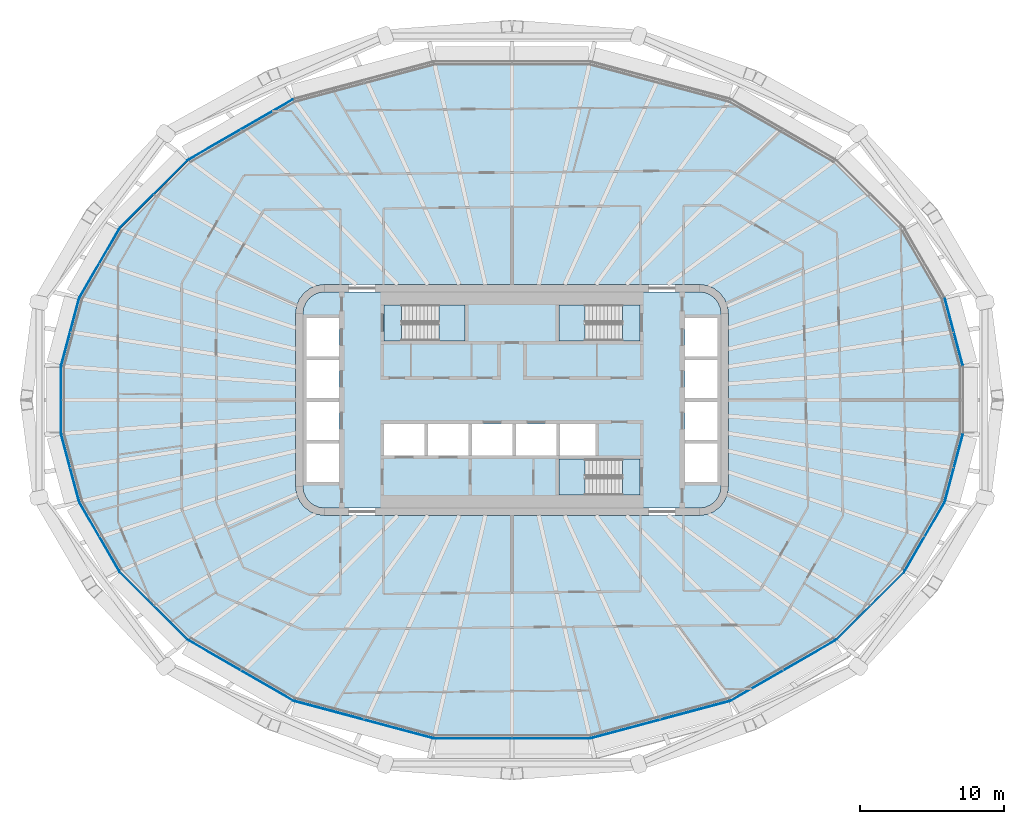
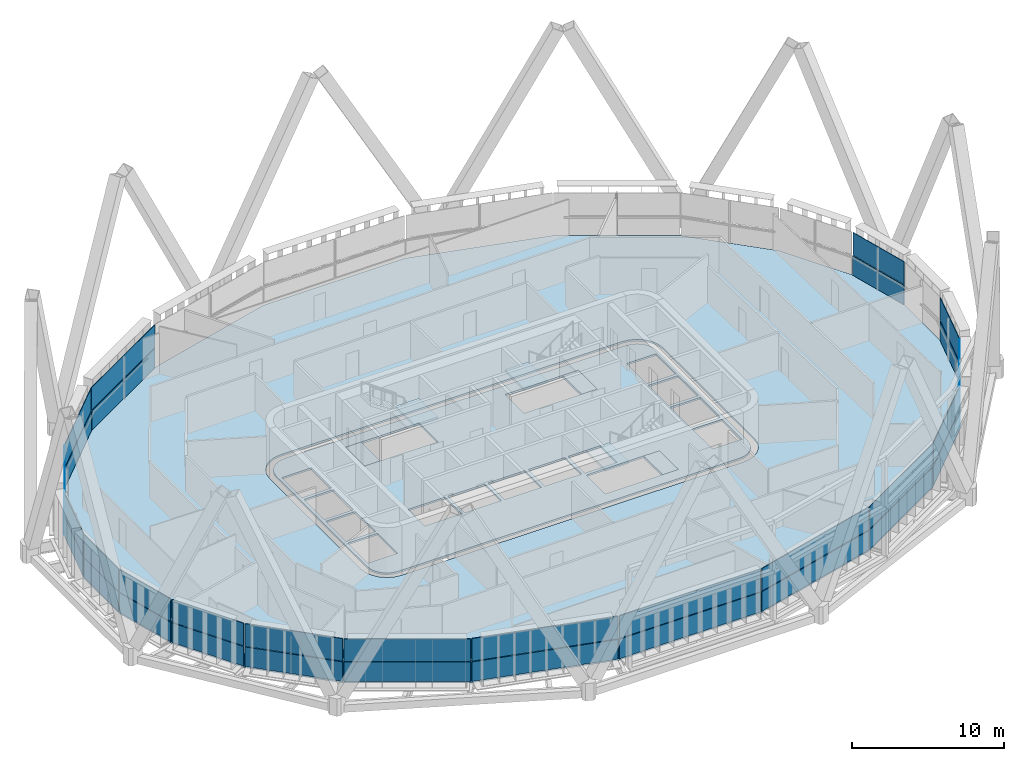
# One storey, part 12 of 25: 34 plates, 8 slabs, 20 elements without a shape of their own.
"""IFC4 building model written with IfcOpenShell, lengths in metres."""

from ifc_helpers import new_model, si_unit, direction, frame, origin, place, context, subcontext, project, spatial, polyline, outline, extrude, material, layer, layer_set, type_object, element, aggregate, save


model = new_model("IFC4")

# Units and contexts
model_context = context("Model", 3, precision=1e-05, world=origin(), true_north=direction((0.0, 1.0)))
body_context = subcontext(model_context, "Body", "Model", "MODEL_VIEW")
ifc_project = project(units=[si_unit("LENGTHUNIT", "METRE"), si_unit("AREAUNIT", "SQUARE_METRE"), si_unit("VOLUMEUNIT", "CUBIC_METRE"), si_unit("PLANEANGLEUNIT", "RADIAN"), si_unit("MASSUNIT", "GRAM", prefix="KILO")], contexts=[model_context])

# Site, building, storey
site_placement = place(None, origin())
site = spatial("IfcSite", under=ifc_project, at=site_placement, CompositionType="ELEMENT")
building_placement = place(site_placement, origin())
building = spatial("IfcBuilding", under=site, at=building_placement, Name="Sahrelin Media Tower", CompositionType="ELEMENT")
storey_placement = place(building_placement, frame((0.0, 0.0, 165.60009765625)))
storey = spatial("IfcBuildingStorey", under=building, at=storey_placement, Name="L34", CompositionType="ELEMENT", Elevation=165.60009765625)

# Slabs
ifc_material_1 = material(Name="Concrete C40/50", Category="concrete")
ifc_layer_1 = layer(ifc_material_1, 0.14990234375)
ifc_layer_set_1 = layer_set([ifc_layer_1], Name="Composite floor slab 150")
slab_type_1 = type_object("IfcSlabType", Name="Composite floor slab 150", PredefinedType="FLOOR", material=ifc_layer_set_1)
placement_1 = place(storey_placement, frame((0.0, 0.0, -0.150146484375)))
element("IfcSlab", 1, at=placement_1, inside=storey, type_object=slab_type_1, Name="Floor slab L34", PredefinedType="FLOOR", context=body_context, shape_type="SweptSolid", body=[
    extrude(outline(polyline([(31.26416015625, -2.335205078125), (31.26416015625, 2.335205078125), (30.0, 7.052978515625), (27.220947265625, 11.866455078125), (22.44580078125, 16.6416015625), (15.156494140625, 20.85009765625), (5.414306640625, 23.460693359375), (-5.414306640625, 23.460693359375), (-15.156494140625, 20.85009765625), (-22.44580078125, 16.6416015625), (-27.220947265625, 11.866455078125), (-30.0, 7.052978515625), (-31.26416015625, 2.335205078125), (-31.26416015625, -2.335205078125), (-30.0, -7.052978515625), (-27.220947265625, -11.866455078125), (-22.44580078125, -16.6416015625), (-15.156494140625, -20.85009765625), (-5.414306640625, -23.460693359375), (5.414306640625, -23.460693359375), (15.156494140625, -20.85009765625), (22.44580078125, -16.6416015625), (27.220947265625, -11.866455078125), (30.0, -7.052978515625), (31.26416015625, -2.335205078125)]), holes=[polyline([(14.931884765625, 6.517578125), (15.0, 6.0), (15.0, -6.0), (14.931884765625, -6.517578125), (14.732177734375, -7.0), (14.414306640625, -7.414306640625), (14.0, -7.732177734375), (13.517578125, -7.931884765625), (13.0, -8.0), (-13.0, -8.0), (-13.517578125, -7.931884765625), (-14.0, -7.732177734375), (-14.414306640625, -7.414306640625), (-14.732177734375, -7.0), (-14.931884765625, -6.517578125), (-15.0, -6.0), (-15.0, 6.0), (-14.931884765625, 6.517578125), (-14.732177734375, 7.0), (-14.414306640625, 7.414306640625), (-14.0, 7.732177734375), (-13.517578125, 7.931884765625), (-13.0, 8.0), (13.0, 8.0), (13.517578125, 7.931884765625), (14.0, 7.732177734375), (14.414306640625, 7.414306640625), (14.732177734375, 7.0), (14.931884765625, 6.517578125)])]), origin(), (0.0, 0.0, 1.0), 0.150146484375),
])
ifc_layer_2 = layer(ifc_material_1, 0.14990234375)
ifc_layer_set_2 = layer_set([ifc_layer_2], Name="Core floor slab 150")
slab_type_2 = type_object("IfcSlabType", Name="Core floor slab 150", PredefinedType="FLOOR", material=ifc_layer_set_2)
element("IfcSlab", 2, at=placement_1, inside=storey, type_object=slab_type_2, Name="Core floor", PredefinedType="FLOOR", context=body_context, shape_type="SweptSolid", body=[
    extrude(outline(polyline([(-14.44482421875, 6.38720703125), (-14.5, 5.96728515625), (-14.5, -5.96728515625), (-14.44482421875, -6.38720703125), (-14.29541015625, -6.747802734375), (-14.0576171875, -7.0576171875), (-13.747802734375, -7.29541015625), (-13.38720703125, -7.44482421875), (-12.96728515625, -7.5), (12.96728515625, -7.5), (13.38720703125, -7.44482421875), (13.747802734375, -7.29541015625), (14.0576171875, -7.0576171875), (14.29541015625, -6.747802734375), (14.44482421875, -6.38720703125), (14.5, -5.96728515625), (14.5, 5.96728515625), (14.44482421875, 6.38720703125), (14.29541015625, 6.747802734375), (14.0576171875, 7.0576171875), (13.747802734375, 7.29541015625), (13.38720703125, 7.44482421875), (12.96728515625, 7.5), (-12.96728515625, 7.5), (-13.38720703125, 7.44482421875), (-13.747802734375, 7.29541015625), (-14.0576171875, 7.0576171875), (-14.29541015625, 6.747802734375), (-14.44482421875, 6.38720703125)]), holes=[polyline([(-12.0, 3.02490234375), (-12.0, 5.675048828125), (-14.25, 5.675048828125), (-14.25, 3.02490234375), (-12.0, 3.02490234375)]), polyline([(-14.25, 0.125), (-12.0, 0.125), (-12.0, 2.77490234375), (-14.25, 2.77490234375), (-14.25, 0.125)]), polyline([(-14.25, -0.125), (-14.25, -2.77490234375), (-12.0, -2.77490234375), (-12.0, -0.125), (-14.25, -0.125)]), polyline([(-12.0, -3.02490234375), (-14.25, -3.02490234375), (-14.25, -5.675048828125), (-12.0, -5.675048828125), (-12.0, -3.02490234375)]), polyline([(14.25, 3.02490234375), (14.25, 5.675048828125), (12.0, 5.675048828125), (12.0, 3.02490234375), (14.25, 3.02490234375)]), polyline([(12.0, 0.125), (14.25, 0.125), (14.25, 2.77490234375), (12.0, 2.77490234375), (12.0, 0.125)]), polyline([(12.0, -0.125), (12.0, -2.77490234375), (14.25, -2.77490234375), (14.25, -0.125), (12.0, -0.125)]), polyline([(14.25, -3.02490234375), (12.0, -3.02490234375), (12.0, -5.675048828125), (14.25, -5.675048828125), (14.25, -3.02490234375)]), polyline([(-6.074951171875, -3.85009765625), (-6.074951171875, -1.64990234375), (-8.875, -1.64990234375), (-8.875, -3.85009765625), (-6.074951171875, -3.85009765625)]), polyline([(-5.824951171875, -3.85009765625), (-3.02490234375, -3.85009765625), (-3.02490234375, -1.64990234375), (-5.824951171875, -1.64990234375), (-5.824951171875, -3.85009765625)]), polyline([(-2.77490234375, -1.64990234375), (-2.77490234375, -3.85009765625), (0.02490234375, -3.85009765625), (0.02490234375, -1.64990234375), (-2.77490234375, -1.64990234375)]), polyline([(3.074951171875, -1.64990234375), (0.27490234375, -1.64990234375), (0.27490234375, -3.85009765625), (3.074951171875, -3.85009765625), (3.074951171875, -1.64990234375)]), polyline([(5.77490234375, -3.85009765625), (5.77490234375, -1.64990234375), (3.324951171875, -1.64990234375), (3.324951171875, -3.85009765625), (5.77490234375, -3.85009765625)]), polyline([(-8.875, 6.60009765625), (-8.875, 4.10009765625), (-3.27490234375, 4.10009765625), (-3.27490234375, 6.60009765625), (-8.875, 6.60009765625)]), polyline([(3.27490234375, 4.10009765625), (8.875, 4.10009765625), (8.875, 6.60009765625), (3.27490234375, 6.60009765625), (3.27490234375, 4.10009765625)]), polyline([(3.27490234375, -4.10009765625), (3.27490234375, -6.60009765625), (8.875, -6.60009765625), (8.875, -4.10009765625), (3.27490234375, -4.10009765625)])]), origin(), (0.0, 0.0, 1.0), 0.150146484375),
])

# Curtain wall, plate
ifc_material_2 = material(Name="Champagne anodised aluminium 6063-T6", Category="aluminium")
ifc_layer_3 = layer(ifc_material_2, 0.14990234375)
ifc_layer_set_3 = layer_set([ifc_layer_3], Name="Tower ribbon curtain wall")
curtain_wall_type = type_object("IfcCurtainWallType", Name="Tower ribbon curtain wall", PredefinedType="NOTDEFINED", material=ifc_layer_set_3)
curtain_wall_1_placement = place(storey_placement, frame((30.6513671875, 4.69921875, 0.0), z_axis=(0.0, 0.0, 1.0), x_axis=(1.0, 0.0, 0.0)))
curtain_wall_1 = element("IfcCurtainWall", 3, at=curtain_wall_1_placement, inside=storey, type_object=curtain_wall_type, Name="L34:CW:L34-01", PredefinedType="NOTDEFINED")
ifc_material_3 = material(Name="Clear low-iron glazing", Category="glass")
ifc_layer_4 = layer(ifc_material_3, 0.0439453125)
ifc_layer_set_4 = layer_set([ifc_layer_4], Name="Glazing panel 44 mm CW1B")
plate_type_1 = type_object("IfcPlateType", Name="Glazing panel 44 mm CW1B", PredefinedType="CURTAIN_PANEL", material=ifc_layer_set_4)
plate_1_placement = place(storey_placement, frame((31.29052734375, 2.39111328125, 1.6298828125), z_axis=(0.965933945732, 0.258788741028, 0.0), x_axis=(-0.258788741028, 0.965933945732, 0.0)))
plate_1 = element("IfcPlate", 4, at=plate_1_placement, type_object=plate_type_1, Name="L34:CWP2:L34-01", PredefinedType="CURTAIN_PANEL", context=body_context, shape_type="SweptSolid", body=[
    extrude(outline(polyline([(0.0, 0.0), (4.78955078125, 0.0), (4.78955078125, 1.818603515625), (0.0, 1.818603515625), (0.0, 0.0)])), origin(), (0.0, 0.0, -1.0), 0.0439453125),
])

curtain_wall_2_placement = place(storey_placement, frame((-18.81103515625, 18.76318359375, 0.0), z_axis=(0.0, 0.0, 1.0), x_axis=(1.0, 0.0, 0.0)))
curtain_wall_2 = element("IfcCurtainWall", 5, at=curtain_wall_2_placement, inside=storey, type_object=curtain_wall_type, Name="L34:CW:L34-08", PredefinedType="NOTDEFINED")
plate_2_placement = place(storey_placement, frame((-15.217529296875, 20.861083984375, 1.6298828125), z_axis=(-0.500000939553, 0.866024861332, 0.0), x_axis=(-0.866024861332, -0.500000939553, 0.0)))
plate_2 = element("IfcPlate", 6, at=plate_2_placement, type_object=plate_type_1, Name="L34:CWP2:L34-08", PredefinedType="CURTAIN_PANEL", context=body_context, shape_type="SweptSolid", body=[
    extrude(outline(polyline([(0.0, 0.0), (8.322265625, 0.0), (8.322265625, 1.818603515625), (0.0, 1.818603515625), (0.0, 0.0)])), origin(), (0.0, 0.0, -1.0), 0.0439453125),
])

curtain_wall_3_placement = place(storey_placement, frame((-24.84765625, 14.268310546875, 0.0), z_axis=(0.0, 0.0, 1.0), x_axis=(1.0, 0.0, 0.0)))
curtain_wall_3 = element("IfcCurtainWall", 7, at=curtain_wall_3_placement, inside=storey, type_object=curtain_wall_type, Name="L34:CW:L34-09", PredefinedType="NOTDEFINED")
plate_3_placement = place(storey_placement, frame((-22.507568359375, 16.636474609375, 1.6298828125), z_axis=(-0.707106781187, 0.707106781187, 0.0), x_axis=(-0.707106781187, -0.707106781187, 0.0)))
plate_3 = element("IfcPlate", 8, at=plate_3_placement, type_object=plate_type_1, Name="L34:CWP2:L34-09", PredefinedType="CURTAIN_PANEL", context=body_context, shape_type="SweptSolid", body=[
    extrude(outline(polyline([(0.0, 0.0), (6.658447265625, 0.0), (6.658447265625, 1.818603515625), (0.0, 1.818603515625), (0.0, 0.0)])), origin(), (0.0, 0.0, -1.0), 0.0439453125),
])

curtain_wall_4_placement = place(storey_placement, frame((-28.627685546875, 9.4697265625, 0.0), z_axis=(0.0, 0.0, 1.0), x_axis=(1.0, 0.0, 0.0)))
curtain_wall_4 = element("IfcCurtainWall", 9, at=curtain_wall_4_placement, inside=storey, type_object=curtain_wall_type, Name="L34:CW:L34-10", PredefinedType="NOTDEFINED")
plate_4_placement = place(storey_placement, frame((-27.279296875, 11.845458984375, 1.6298828125), z_axis=(-0.866026336773, 0.499998384012, 0.0), x_axis=(-0.499998384012, -0.866026336773, 0.0)))
plate_4 = element("IfcPlate", 10, at=plate_4_placement, type_object=plate_type_1, Name="L34:CWP2:L34-10", PredefinedType="CURTAIN_PANEL", context=body_context, shape_type="SweptSolid", body=[
    extrude(outline(polyline([(0.0, 0.0), (5.46337890625, 0.0), (5.46337890625, 1.818603515625), (0.0, 1.818603515625), (0.0, 0.0)])), origin(), (0.0, 0.0, -1.0), 0.0439453125),
])

curtain_wall_5_placement = place(storey_placement, frame((-30.651611328125, 4.69921875, 0.0), z_axis=(0.0, 0.0, 1.0), x_axis=(1.0, 0.0, 0.0)))
curtain_wall_5 = element("IfcCurtainWall", 11, at=curtain_wall_5_placement, inside=storey, type_object=curtain_wall_type, Name="L34:CW:L34-11", PredefinedType="NOTDEFINED")
plate_5_placement = place(storey_placement, frame((-30.051025390625, 7.017578125, 1.6298828125), z_axis=(-0.965933945732, 0.258788741028, 0.0), x_axis=(-0.258788741028, -0.965933945732, 0.0)))
plate_5 = element("IfcPlate", 12, at=plate_5_placement, type_object=plate_type_1, Name="L34:CWP2:L34-11", PredefinedType="CURTAIN_PANEL", context=body_context, shape_type="SweptSolid", body=[
    extrude(outline(polyline([(0.0, 0.0), (4.78955078125, 0.0), (4.78955078125, 1.818603515625), (0.0, 1.818603515625), (0.0, 0.0)])), origin(), (0.0, 0.0, -1.0), 0.0439453125),
])

curtain_wall_6_placement = place(storey_placement, frame((-31.2841796875, 0.0, 0.0), z_axis=(0.0, 0.0, 1.0), x_axis=(1.0, 0.0, 0.0)))
curtain_wall_6 = element("IfcCurtainWall", 13, at=curtain_wall_6_placement, inside=storey, type_object=curtain_wall_type, Name="L34:CW:L34-12", PredefinedType="NOTDEFINED")
plate_6_placement = place(storey_placement, frame((-31.30419921875, 2.28759765625, 1.6298828125), z_axis=(-1.0, 0.0, 0.0), x_axis=(0.0, -1.0, 0.0)))
plate_6 = element("IfcPlate", 14, at=plate_6_placement, type_object=plate_type_1, Name="L34:CWP2:L34-12", PredefinedType="CURTAIN_PANEL", context=body_context, shape_type="SweptSolid", body=[
    extrude(outline(polyline([(0.0, 0.0), (4.5751953125, 0.0), (4.5751953125, 1.818603515625), (0.0, 1.818603515625), (0.0, 0.0)])), origin(), (0.0, 0.0, -1.0), 0.0439453125),
])

curtain_wall_7_placement = place(storey_placement, frame((-30.6513671875, -4.69921875, 0.0), z_axis=(0.0, 0.0, 1.0), x_axis=(1.0, 0.0, 0.0)))
curtain_wall_7 = element("IfcCurtainWall", 15, at=curtain_wall_7_placement, inside=storey, type_object=curtain_wall_type, Name="L34:CW:L34-13", PredefinedType="NOTDEFINED")
plate_7_placement = place(storey_placement, frame((-31.29052734375, -2.39111328125, 1.6298828125), z_axis=(-0.965933945732, -0.258788741028, 0.0), x_axis=(0.258788741028, -0.965933945732, 0.0)))
plate_7 = element("IfcPlate", 16, at=plate_7_placement, type_object=plate_type_1, Name="L34:CWP2:L34-13", PredefinedType="CURTAIN_PANEL", context=body_context, shape_type="SweptSolid", body=[
    extrude(outline(polyline([(0.0, 0.0), (4.78955078125, 0.0), (4.78955078125, 1.818603515625), (0.0, 1.818603515625), (0.0, 0.0)])), origin(), (0.0, 0.0, -1.0), 0.0439453125),
])

curtain_wall_8_placement = place(storey_placement, frame((-28.6279296875, -9.4697265625, 0.0), z_axis=(0.0, 0.0, 1.0), x_axis=(1.0, 0.0, 0.0)))
curtain_wall_8 = element("IfcCurtainWall", 17, at=curtain_wall_8_placement, inside=storey, type_object=curtain_wall_type, Name="L34:CW:L34-14", PredefinedType="NOTDEFINED")
plate_8_placement = place(storey_placement, frame((-30.010986328125, -7.114013671875, 1.6298828125), z_axis=(-0.866026336773, -0.499998384012, 0.0), x_axis=(0.499998384012, -0.866026336773, 0.0)))
plate_8 = element("IfcPlate", 18, at=plate_8_placement, type_object=plate_type_1, Name="L34:CWP2:L34-14", PredefinedType="CURTAIN_PANEL", context=body_context, shape_type="SweptSolid", body=[
    extrude(outline(polyline([(0.0, 0.0), (5.46337890625, 0.0), (5.46337890625, 1.818603515625), (0.0, 1.818603515625), (0.0, 0.0)])), origin(), (0.0, 0.0, -1.0), 0.0439453125),
])

curtain_wall_9_placement = place(storey_placement, frame((-24.847412109375, -14.268310546875, 0.0), z_axis=(0.0, 0.0, 1.0), x_axis=(1.0, 0.0, 0.0)))
curtain_wall_9 = element("IfcCurtainWall", 19, at=curtain_wall_9_placement, inside=storey, type_object=curtain_wall_type, Name="L34:CW:L34-15", PredefinedType="NOTDEFINED")
plate_9_placement = place(storey_placement, frame((-27.2158203125, -11.92822265625, 1.6298828125), z_axis=(-0.707106781187, -0.707106781187, 0.0), x_axis=(0.707106781187, -0.707106781187, 0.0)))
plate_9 = element("IfcPlate", 20, at=plate_9_placement, type_object=plate_type_1, Name="L34:CWP2:L34-15", PredefinedType="CURTAIN_PANEL", context=body_context, shape_type="SweptSolid", body=[
    extrude(outline(polyline([(0.0, 0.0), (6.658447265625, 0.0), (6.658447265625, 1.818603515625), (0.0, 1.818603515625), (0.0, 0.0)])), origin(), (0.0, 0.0, -1.0), 0.0439453125),
])

curtain_wall_10_placement = place(storey_placement, frame((-18.811279296875, -18.76318359375, 0.0), z_axis=(0.0, 0.0, 1.0), x_axis=(1.0, 0.0, 0.0)))
curtain_wall_10 = element("IfcCurtainWall", 21, at=curtain_wall_10_placement, inside=storey, type_object=curtain_wall_type, Name="L34:CW:L34-16", PredefinedType="NOTDEFINED")
plate_10_placement = place(storey_placement, frame((-22.4248046875, -16.699951171875, 1.6298828125), z_axis=(-0.500000939553, -0.866024861332, 0.0), x_axis=(0.866024861332, -0.500000939553, 0.0)))
plate_10 = element("IfcPlate", 22, at=plate_10_placement, type_object=plate_type_1, Name="L34:CWP2:L34-16", PredefinedType="CURTAIN_PANEL", context=body_context, shape_type="SweptSolid", body=[
    extrude(outline(polyline([(0.0, 0.0), (8.322265625, 0.0), (8.322265625, 1.818603515625), (0.0, 1.818603515625), (0.0, 0.0)])), origin(), (0.0, 0.0, -1.0), 0.0439453125),
])

curtain_wall_11_placement = place(storey_placement, frame((-10.29052734375, -22.1748046875, 0.0), z_axis=(0.0, 0.0, 1.0), x_axis=(1.0, 0.0, 0.0)))
curtain_wall_11 = element("IfcCurtainWall", 23, at=curtain_wall_11_placement, inside=storey, type_object=curtain_wall_type, Name="L34:CW:L34-17", PredefinedType="NOTDEFINED")
plate_11_placement = place(storey_placement, frame((-15.12109375, -20.901123046875, 1.6298828125), z_axis=(-0.258818325201, -0.965926019186, 0.0), x_axis=(0.965926019186, -0.258818325201, 0.0)))
plate_11 = element("IfcPlate", 24, at=plate_11_placement, type_object=plate_type_1, Name="L34:CWP2:L34-17", PredefinedType="CURTAIN_PANEL", context=body_context, shape_type="SweptSolid", body=[
    extrude(outline(polyline([(0.0, 0.0), (9.9912109375, 0.0), (9.9912109375, 1.818603515625), (0.0, 1.818603515625), (0.0, 0.0)])), origin(), (0.0, 0.0, -1.0), 0.0439453125),
])

curtain_wall_12_placement = place(storey_placement, frame((0.0, -23.480712890625, 0.0), z_axis=(0.0, 0.0, 1.0), x_axis=(1.0, 0.0, 0.0)))
curtain_wall_12 = element("IfcCurtainWall", 25, at=curtain_wall_12_placement, inside=storey, type_object=curtain_wall_type, Name="L34:CW:L34-18", PredefinedType="NOTDEFINED")
plate_12_placement = place(storey_placement, frame((-5.36669921875, -23.50048828125, 1.6298828125), z_axis=(0.0, -1.0, 0.0), x_axis=(1.0, 0.0, 0.0)))
plate_12 = element("IfcPlate", 26, at=plate_12_placement, type_object=plate_type_1, Name="L34:CWP2:L34-18", PredefinedType="CURTAIN_PANEL", context=body_context, shape_type="SweptSolid", body=[
    extrude(outline(polyline([(0.0, 0.0), (10.7333984375, 0.0), (10.7333984375, 1.818603515625), (0.0, 1.818603515625), (0.0, 0.0)])), origin(), (0.0, 0.0, -1.0), 0.0439453125),
])

curtain_wall_13_placement = place(storey_placement, frame((10.29052734375, -22.1748046875, 0.0), z_axis=(0.0, 0.0, 1.0), x_axis=(1.0, 0.0, 0.0)))
curtain_wall_13 = element("IfcCurtainWall", 27, at=curtain_wall_13_placement, inside=storey, type_object=curtain_wall_type, Name="L34:CW:L34-19", PredefinedType="NOTDEFINED")
plate_13_placement = place(storey_placement, frame((5.47021484375, -23.487060546875, 1.6298828125), z_axis=(0.258818325201, -0.965926019186, 0.0), x_axis=(0.965926019186, 0.258818325201, 0.0)))
plate_13 = element("IfcPlate", 28, at=plate_13_placement, type_object=plate_type_1, Name="L34:CWP2:L34-19", PredefinedType="CURTAIN_PANEL", context=body_context, shape_type="SweptSolid", body=[
    extrude(outline(polyline([(0.0, 0.0), (9.9912109375, 0.0), (9.9912109375, 1.818603515625), (0.0, 1.818603515625), (0.0, 0.0)])), origin(), (0.0, 0.0, -1.0), 0.0439453125),
])

curtain_wall_14_placement = place(storey_placement, frame((18.81103515625, -18.76318359375, 0.0), z_axis=(0.0, 0.0, 1.0), x_axis=(1.0, 0.0, 0.0)))
curtain_wall_14 = element("IfcCurtainWall", 29, at=curtain_wall_14_placement, inside=storey, type_object=curtain_wall_type, Name="L34:CW:L34-20", PredefinedType="NOTDEFINED")
plate_14_placement = place(storey_placement, frame((15.217529296875, -20.861083984375, 1.6298828125), z_axis=(0.500000939553, -0.866024861332, 0.0), x_axis=(0.866024861332, 0.500000939553, 0.0)))
plate_14 = element("IfcPlate", 30, at=plate_14_placement, type_object=plate_type_1, Name="L34:CWP2:L34-20", PredefinedType="CURTAIN_PANEL", context=body_context, shape_type="SweptSolid", body=[
    extrude(outline(polyline([(0.0, 0.0), (8.322265625, 0.0), (8.322265625, 1.818603515625), (0.0, 1.818603515625), (0.0, 0.0)])), origin(), (0.0, 0.0, -1.0), 0.0439453125),
])

curtain_wall_15_placement = place(storey_placement, frame((24.84765625, -14.268310546875, 0.0), z_axis=(0.0, 0.0, 1.0), x_axis=(1.0, 0.0, 0.0)))
curtain_wall_15 = element("IfcCurtainWall", 31, at=curtain_wall_15_placement, inside=storey, type_object=curtain_wall_type, Name="L34:CW:L34-21", PredefinedType="NOTDEFINED")
plate_15_placement = place(storey_placement, frame((22.507568359375, -16.636474609375, 1.6298828125), z_axis=(0.707106781187, -0.707106781187, 0.0), x_axis=(0.707106781187, 0.707106781187, 0.0)))
plate_15 = element("IfcPlate", 32, at=plate_15_placement, type_object=plate_type_1, Name="L34:CWP2:L34-21", PredefinedType="CURTAIN_PANEL", context=body_context, shape_type="SweptSolid", body=[
    extrude(outline(polyline([(0.0, 0.0), (6.658447265625, 0.0), (6.658447265625, 1.818603515625), (0.0, 1.818603515625), (0.0, 0.0)])), origin(), (0.0, 0.0, -1.0), 0.0439453125),
])

curtain_wall_16_placement = place(storey_placement, frame((28.627685546875, -9.4697265625, 0.0), z_axis=(0.0, 0.0, 1.0), x_axis=(1.0, 0.0, 0.0)))
curtain_wall_16 = element("IfcCurtainWall", 33, at=curtain_wall_16_placement, inside=storey, type_object=curtain_wall_type, Name="L34:CW:L34-22", PredefinedType="NOTDEFINED")
plate_16_placement = place(storey_placement, frame((27.279296875, -11.845458984375, 1.6298828125), z_axis=(0.866026336773, -0.499998384012, 0.0), x_axis=(0.499998384012, 0.866026336773, 0.0)))
plate_16 = element("IfcPlate", 34, at=plate_16_placement, type_object=plate_type_1, Name="L34:CWP2:L34-22", PredefinedType="CURTAIN_PANEL", context=body_context, shape_type="SweptSolid", body=[
    extrude(outline(polyline([(0.0, 0.0), (5.46337890625, 0.0), (5.46337890625, 1.818603515625), (0.0, 1.818603515625), (0.0, 0.0)])), origin(), (0.0, 0.0, -1.0), 0.0439453125),
])

curtain_wall_17_placement = place(storey_placement, frame((30.651611328125, -4.69921875, 0.0), z_axis=(0.0, 0.0, 1.0), x_axis=(1.0, 0.0, 0.0)))
curtain_wall_17 = element("IfcCurtainWall", 35, at=curtain_wall_17_placement, inside=storey, type_object=curtain_wall_type, Name="L34:CW:L34-23", PredefinedType="NOTDEFINED")
plate_17_placement = place(storey_placement, frame((30.051025390625, -7.017578125, 1.6298828125), z_axis=(0.965933945732, -0.258788741028, 0.0), x_axis=(0.258788741028, 0.965933945732, 0.0)))
plate_17 = element("IfcPlate", 36, at=plate_17_placement, type_object=plate_type_1, Name="L34:CWP2:L34-23", PredefinedType="CURTAIN_PANEL", context=body_context, shape_type="SweptSolid", body=[
    extrude(outline(polyline([(0.0, 0.0), (4.78955078125, 0.0), (4.78955078125, 1.818603515625), (0.0, 1.818603515625), (0.0, 0.0)])), origin(), (0.0, 0.0, -1.0), 0.0439453125),
])

# Plate
ifc_material_4 = material(Name="Insulated spandrel panel")
ifc_layer_5 = layer(ifc_material_4, 0.06005859375)
ifc_layer_set_5 = layer_set([ifc_layer_5], Name="Spandrel panel 60 mm CW1")
plate_type_2 = type_object("IfcPlateType", Name="Spandrel panel 60 mm CW1", PredefinedType="SHEET", material=ifc_layer_set_5)
plate_18_placement = place(storey_placement, frame((31.29052734375, 2.39111328125, 0.0), z_axis=(0.965933945732, 0.258788741028, 0.0), x_axis=(-0.258788741028, 0.965933945732, 0.0)))
plate_18 = element("IfcPlate", 37, at=plate_18_placement, type_object=plate_type_2, Name="L34:CWP1:L34-01", PredefinedType="SHEET", context=body_context, shape_type="SweptSolid", body=[
    extrude(outline(polyline([(0.0, 0.0), (4.78955078125, 0.0), (4.78955078125, 1.56982421875), (0.0, 1.56982421875), (0.0, 0.0)])), origin(), (0.0, 0.0, -1.0), 0.06005859375),
])

aggregate(curtain_wall_1, [plate_18, plate_1])

plate_19_placement = place(storey_placement, frame((-15.217529296875, 20.861083984375, 0.0), z_axis=(-0.500000939553, 0.866024861332, 0.0), x_axis=(-0.866024861332, -0.500000939553, 0.0)))
plate_19 = element("IfcPlate", 38, at=plate_19_placement, type_object=plate_type_2, Name="L34:CWP1:L34-08", PredefinedType="SHEET", context=body_context, shape_type="SweptSolid", body=[
    extrude(outline(polyline([(0.0, 0.0), (8.322265625, 0.0), (8.322265625, 1.56982421875), (0.0, 1.56982421875), (0.0, 0.0)])), origin(), (0.0, 0.0, -1.0), 0.06005859375),
])

aggregate(curtain_wall_2, [plate_19, plate_2])

plate_20_placement = place(storey_placement, frame((-22.507568359375, 16.636474609375, 0.0), z_axis=(-0.707106781187, 0.707106781187, 0.0), x_axis=(-0.707106781187, -0.707106781187, 0.0)))
plate_20 = element("IfcPlate", 39, at=plate_20_placement, type_object=plate_type_2, Name="L34:CWP1:L34-09", PredefinedType="SHEET", context=body_context, shape_type="SweptSolid", body=[
    extrude(outline(polyline([(0.0, 0.0), (6.658447265625, 0.0), (6.658447265625, 1.56982421875), (0.0, 1.56982421875), (0.0, 0.0)])), origin(), (0.0, 0.0, -1.0), 0.06005859375),
])

aggregate(curtain_wall_3, [plate_20, plate_3])

plate_21_placement = place(storey_placement, frame((-27.279296875, 11.845458984375, 0.0), z_axis=(-0.866026336773, 0.499998384012, 0.0), x_axis=(-0.499998384012, -0.866026336773, 0.0)))
plate_21 = element("IfcPlate", 40, at=plate_21_placement, type_object=plate_type_2, Name="L34:CWP1:L34-10", PredefinedType="SHEET", context=body_context, shape_type="SweptSolid", body=[
    extrude(outline(polyline([(0.0, 0.0), (5.46337890625, 0.0), (5.46337890625, 1.56982421875), (0.0, 1.56982421875), (0.0, 0.0)])), origin(), (0.0, 0.0, -1.0), 0.06005859375),
])

aggregate(curtain_wall_4, [plate_21, plate_4])

plate_22_placement = place(storey_placement, frame((-30.051025390625, 7.017578125, 0.0), z_axis=(-0.965933945732, 0.258788741028, 0.0), x_axis=(-0.258788741028, -0.965933945732, 0.0)))
plate_22 = element("IfcPlate", 41, at=plate_22_placement, type_object=plate_type_2, Name="L34:CWP1:L34-11", PredefinedType="SHEET", context=body_context, shape_type="SweptSolid", body=[
    extrude(outline(polyline([(0.0, 0.0), (4.78955078125, 0.0), (4.78955078125, 1.56982421875), (0.0, 1.56982421875), (0.0, 0.0)])), origin(), (0.0, 0.0, -1.0), 0.06005859375),
])

aggregate(curtain_wall_5, [plate_22, plate_5])

plate_23_placement = place(storey_placement, frame((-31.30419921875, 2.28759765625, 0.0), z_axis=(-1.0, 0.0, 0.0), x_axis=(0.0, -1.0, 0.0)))
plate_23 = element("IfcPlate", 42, at=plate_23_placement, type_object=plate_type_2, Name="L34:CWP1:L34-12", PredefinedType="SHEET", context=body_context, shape_type="SweptSolid", body=[
    extrude(outline(polyline([(0.0, 0.0), (4.5751953125, 0.0), (4.5751953125, 1.56982421875), (0.0, 1.56982421875), (0.0, 0.0)])), origin(), (0.0, 0.0, -1.0), 0.06005859375),
])

aggregate(curtain_wall_6, [plate_23, plate_6])

plate_24_placement = place(storey_placement, frame((-31.29052734375, -2.39111328125, 0.0), z_axis=(-0.965933945732, -0.258788741028, 0.0), x_axis=(0.258788741028, -0.965933945732, 0.0)))
plate_24 = element("IfcPlate", 43, at=plate_24_placement, type_object=plate_type_2, Name="L34:CWP1:L34-13", PredefinedType="SHEET", context=body_context, shape_type="SweptSolid", body=[
    extrude(outline(polyline([(0.0, 0.0), (4.78955078125, 0.0), (4.78955078125, 1.56982421875), (0.0, 1.56982421875), (0.0, 0.0)])), origin(), (0.0, 0.0, -1.0), 0.06005859375),
])

aggregate(curtain_wall_7, [plate_24, plate_7])

plate_25_placement = place(storey_placement, frame((-30.010986328125, -7.114013671875, 0.0), z_axis=(-0.866026336773, -0.499998384012, 0.0), x_axis=(0.499998384012, -0.866026336773, 0.0)))
plate_25 = element("IfcPlate", 44, at=plate_25_placement, type_object=plate_type_2, Name="L34:CWP1:L34-14", PredefinedType="SHEET", context=body_context, shape_type="SweptSolid", body=[
    extrude(outline(polyline([(0.0, 0.0), (5.46337890625, 0.0), (5.46337890625, 1.56982421875), (0.0, 1.56982421875), (0.0, 0.0)])), origin(), (0.0, 0.0, -1.0), 0.06005859375),
])

aggregate(curtain_wall_8, [plate_25, plate_8])

plate_26_placement = place(storey_placement, frame((-27.2158203125, -11.92822265625, 0.0), z_axis=(-0.707106781187, -0.707106781187, 0.0), x_axis=(0.707106781187, -0.707106781187, 0.0)))
plate_26 = element("IfcPlate", 45, at=plate_26_placement, type_object=plate_type_2, Name="L34:CWP1:L34-15", PredefinedType="SHEET", context=body_context, shape_type="SweptSolid", body=[
    extrude(outline(polyline([(0.0, 0.0), (6.658447265625, 0.0), (6.658447265625, 1.56982421875), (0.0, 1.56982421875), (0.0, 0.0)])), origin(), (0.0, 0.0, -1.0), 0.06005859375),
])

aggregate(curtain_wall_9, [plate_26, plate_9])

plate_27_placement = place(storey_placement, frame((-22.4248046875, -16.699951171875, 0.0), z_axis=(-0.500000939553, -0.866024861332, 0.0), x_axis=(0.866024861332, -0.500000939553, 0.0)))
plate_27 = element("IfcPlate", 46, at=plate_27_placement, type_object=plate_type_2, Name="L34:CWP1:L34-16", PredefinedType="SHEET", context=body_context, shape_type="SweptSolid", body=[
    extrude(outline(polyline([(0.0, 0.0), (8.322265625, 0.0), (8.322265625, 1.56982421875), (0.0, 1.56982421875), (0.0, 0.0)])), origin(), (0.0, 0.0, -1.0), 0.06005859375),
])

aggregate(curtain_wall_10, [plate_27, plate_10])

plate_28_placement = place(storey_placement, frame((-15.12109375, -20.901123046875, 0.0), z_axis=(-0.258818325201, -0.965926019186, 0.0), x_axis=(0.965926019186, -0.258818325201, 0.0)))
plate_28 = element("IfcPlate", 47, at=plate_28_placement, type_object=plate_type_2, Name="L34:CWP1:L34-17", PredefinedType="SHEET", context=body_context, shape_type="SweptSolid", body=[
    extrude(outline(polyline([(0.0, 0.0), (9.9912109375, 0.0), (9.9912109375, 1.56982421875), (0.0, 1.56982421875), (0.0, 0.0)])), origin(), (0.0, 0.0, -1.0), 0.06005859375),
])

aggregate(curtain_wall_11, [plate_28, plate_11])

plate_29_placement = place(storey_placement, frame((-5.36669921875, -23.50048828125, 0.0), z_axis=(0.0, -1.0, 0.0), x_axis=(1.0, 0.0, 0.0)))
plate_29 = element("IfcPlate", 48, at=plate_29_placement, type_object=plate_type_2, Name="L34:CWP1:L34-18", PredefinedType="SHEET", context=body_context, shape_type="SweptSolid", body=[
    extrude(outline(polyline([(0.0, 0.0), (10.7333984375, 0.0), (10.7333984375, 1.56982421875), (0.0, 1.56982421875), (0.0, 0.0)])), origin(), (0.0, 0.0, -1.0), 0.06005859375),
])

aggregate(curtain_wall_12, [plate_29, plate_12])

plate_30_placement = place(storey_placement, frame((5.47021484375, -23.487060546875, 0.0), z_axis=(0.258818325201, -0.965926019186, 0.0), x_axis=(0.965926019186, 0.258818325201, 0.0)))
plate_30 = element("IfcPlate", 49, at=plate_30_placement, type_object=plate_type_2, Name="L34:CWP1:L34-19", PredefinedType="SHEET", context=body_context, shape_type="SweptSolid", body=[
    extrude(outline(polyline([(0.0, 0.0), (9.9912109375, 0.0), (9.9912109375, 1.56982421875), (0.0, 1.56982421875), (0.0, 0.0)])), origin(), (0.0, 0.0, -1.0), 0.06005859375),
])

aggregate(curtain_wall_13, [plate_30, plate_13])

plate_31_placement = place(storey_placement, frame((15.217529296875, -20.861083984375, 0.0), z_axis=(0.500000939553, -0.866024861332, 0.0), x_axis=(0.866024861332, 0.500000939553, 0.0)))
plate_31 = element("IfcPlate", 50, at=plate_31_placement, type_object=plate_type_2, Name="L34:CWP1:L34-20", PredefinedType="SHEET", context=body_context, shape_type="SweptSolid", body=[
    extrude(outline(polyline([(0.0, 0.0), (8.322265625, 0.0), (8.322265625, 1.56982421875), (0.0, 1.56982421875), (0.0, 0.0)])), origin(), (0.0, 0.0, -1.0), 0.06005859375),
])

aggregate(curtain_wall_14, [plate_31, plate_14])

plate_32_placement = place(storey_placement, frame((22.507568359375, -16.636474609375, 0.0), z_axis=(0.707106781187, -0.707106781187, 0.0), x_axis=(0.707106781187, 0.707106781187, 0.0)))
plate_32 = element("IfcPlate", 51, at=plate_32_placement, type_object=plate_type_2, Name="L34:CWP1:L34-21", PredefinedType="SHEET", context=body_context, shape_type="SweptSolid", body=[
    extrude(outline(polyline([(0.0, 0.0), (6.658447265625, 0.0), (6.658447265625, 1.56982421875), (0.0, 1.56982421875), (0.0, 0.0)])), origin(), (0.0, 0.0, -1.0), 0.06005859375),
])

aggregate(curtain_wall_15, [plate_32, plate_15])

plate_33_placement = place(storey_placement, frame((27.279296875, -11.845458984375, 0.0), z_axis=(0.866026336773, -0.499998384012, 0.0), x_axis=(0.499998384012, 0.866026336773, 0.0)))
plate_33 = element("IfcPlate", 52, at=plate_33_placement, type_object=plate_type_2, Name="L34:CWP1:L34-22", PredefinedType="SHEET", context=body_context, shape_type="SweptSolid", body=[
    extrude(outline(polyline([(0.0, 0.0), (5.46337890625, 0.0), (5.46337890625, 1.56982421875), (0.0, 1.56982421875), (0.0, 0.0)])), origin(), (0.0, 0.0, -1.0), 0.06005859375),
])

aggregate(curtain_wall_16, [plate_33, plate_16])

plate_34_placement = place(storey_placement, frame((30.051025390625, -7.017578125, 0.0), z_axis=(0.965933945732, -0.258788741028, 0.0), x_axis=(0.258788741028, 0.965933945732, 0.0)))
plate_34 = element("IfcPlate", 53, at=plate_34_placement, type_object=plate_type_2, Name="L34:CWP1:L34-23", PredefinedType="SHEET", context=body_context, shape_type="SweptSolid", body=[
    extrude(outline(polyline([(0.0, 0.0), (4.78955078125, 0.0), (4.78955078125, 1.56982421875), (0.0, 1.56982421875), (0.0, 0.0)])), origin(), (0.0, 0.0, -1.0), 0.06005859375),
])

aggregate(curtain_wall_17, [plate_34, plate_17])

# Stair, slabs
stair_type = type_object("IfcStairType", Name="Exit stair 1200", PredefinedType="HALF_TURN_STAIR", material=ifc_material_1)
placement_2 = place(storey_placement, origin())
stair_1 = element("IfcStair", 54, at=placement_2, inside=storey, type_object=stair_type, Name="L34 Exit stair ST1", PredefinedType="HALF_TURN_STAIR")
ifc_layer_6 = layer(ifc_material_1, 0.199951171875)
ifc_layer_set_6 = layer_set([ifc_layer_6], Name="Stair landing 200")
slab_type_3 = type_object("IfcSlabType", Name="Stair landing 200", PredefinedType="LANDING", material=ifc_layer_set_6)
placement_3 = place(storey_placement, frame((0.0, 0.0, 1.7998046875)))
slab_3 = element("IfcSlab", 55, at=placement_3, type_object=slab_type_3, Name="ST1 landing 1", PredefinedType="LANDING", context=body_context, shape_type="SweptSolid", body=[
    extrude(outline(polyline([(-5.074951171875, 4.10009765625), (-3.27490234375, 4.10009765625), (-3.27490234375, 6.60009765625), (-5.074951171875, 6.60009765625), (-5.074951171875, 4.10009765625)])), origin(), (0.0, 0.0, 1.0), 0.2001953125),
])
placement_4 = place(storey_placement, frame((0.0, 0.0, -0.2001953125)))
slab_4 = element("IfcSlab", 56, at=placement_4, type_object=slab_type_3, Name="ST1 landing 2", PredefinedType="LANDING", context=body_context, shape_type="SweptSolid", body=[
    extrude(outline(polyline([(-8.875, 4.10009765625), (-7.675048828125, 4.10009765625), (-7.675048828125, 6.60009765625), (-8.875, 6.60009765625), (-8.875, 4.10009765625)])), origin(), (0.0, 0.0, 1.0), 0.2001953125),
])
aggregate(stair_1, [slab_3, slab_4])

stair_2 = element("IfcStair", 57, at=placement_2, inside=storey, type_object=stair_type, Name="L34 Exit stair ST3", PredefinedType="HALF_TURN_STAIR")
slab_5 = element("IfcSlab", 58, at=placement_3, type_object=slab_type_3, Name="ST3 landing 1", PredefinedType="LANDING", context=body_context, shape_type="SweptSolid", body=[
    extrude(outline(polyline([(5.074951171875, 6.60009765625), (3.27490234375, 6.60009765625), (3.27490234375, 4.10009765625), (5.074951171875, 4.10009765625), (5.074951171875, 6.60009765625)])), origin(), (0.0, 0.0, 1.0), 0.2001953125),
])
slab_6 = element("IfcSlab", 59, at=placement_4, type_object=slab_type_3, Name="ST3 landing 2", PredefinedType="LANDING", context=body_context, shape_type="SweptSolid", body=[
    extrude(outline(polyline([(8.875, 6.60009765625), (7.675048828125, 6.60009765625), (7.675048828125, 4.10009765625), (8.875, 4.10009765625), (8.875, 6.60009765625)])), origin(), (0.0, 0.0, 1.0), 0.2001953125),
])
aggregate(stair_2, [slab_5, slab_6])

stair_3 = element("IfcStair", 60, at=placement_2, inside=storey, type_object=stair_type, Name="L34 Exit stair ST2", PredefinedType="HALF_TURN_STAIR")
slab_7 = element("IfcSlab", 61, at=placement_3, type_object=slab_type_3, Name="ST2 landing 1", PredefinedType="LANDING", context=body_context, shape_type="SweptSolid", body=[
    extrude(outline(polyline([(5.074951171875, -4.10009765625), (3.27490234375, -4.10009765625), (3.27490234375, -6.60009765625), (5.074951171875, -6.60009765625), (5.074951171875, -4.10009765625)])), origin(), (0.0, 0.0, 1.0), 0.2001953125),
])
slab_8 = element("IfcSlab", 62, at=placement_4, type_object=slab_type_3, Name="ST2 landing 2", PredefinedType="LANDING", context=body_context, shape_type="SweptSolid", body=[
    extrude(outline(polyline([(8.875, -4.10009765625), (7.675048828125, -4.10009765625), (7.675048828125, -6.60009765625), (8.875, -6.60009765625), (8.875, -4.10009765625)])), origin(), (0.0, 0.0, 1.0), 0.2001953125),
])
aggregate(stair_3, [slab_7, slab_8])

save(model, "model.ifc")
